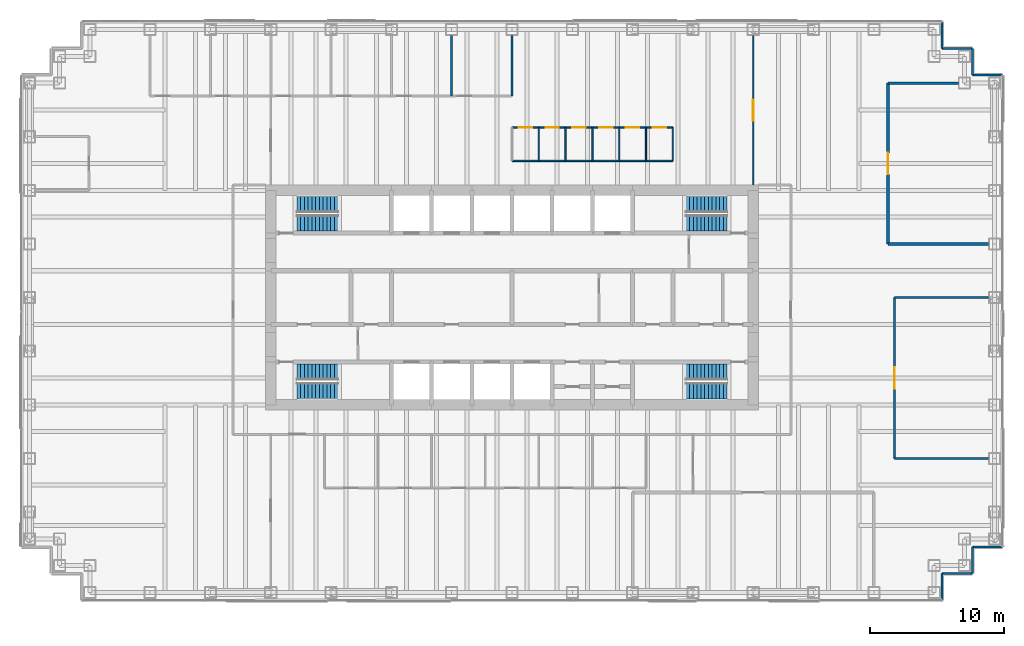
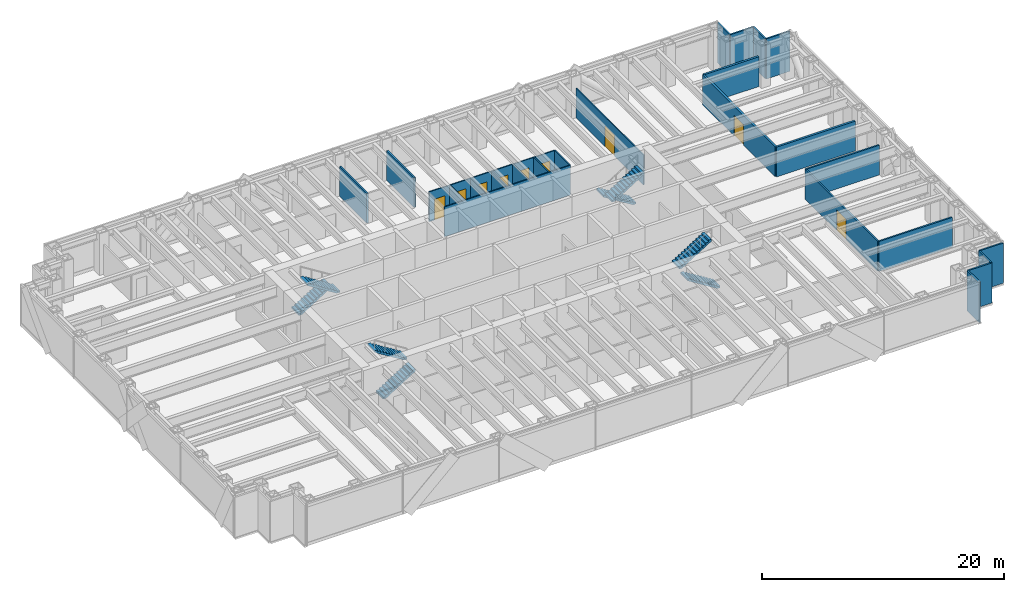
# One storey, part 13 of 14: 25 walls, 9 doors, 8 stair flights, 9 openings, 4 elements without a shape of their own.
"""IFC4 building model written with IfcOpenShell, lengths in metres."""

from ifc_helpers import new_model, si_unit, direction, frame, frame_2d, origin, place, context, subcontext, project, spatial, polyline, rectangle, outline, extrude, material, layer, layer_set, type_object, element, fill, aggregate, save


model = new_model("IFC4")

# Units and contexts
model_context = context("Model", 3, precision=1e-05, world=origin(), true_north=direction((0.0, 1.0)))
body_context = subcontext(model_context, "Body", "Model", "MODEL_VIEW")
ifc_project = project(units=[si_unit("LENGTHUNIT", "METRE"), si_unit("AREAUNIT", "SQUARE_METRE"), si_unit("VOLUMEUNIT", "CUBIC_METRE"), si_unit("PLANEANGLEUNIT", "RADIAN"), si_unit("MASSUNIT", "GRAM", prefix="KILO")], contexts=[model_context])

# Site, building, storey
site_placement = place(None, origin())
site = spatial("IfcSite", under=ifc_project, at=site_placement, CompositionType="ELEMENT")
building_placement = place(site_placement, origin())
building = spatial("IfcBuilding", under=site, at=building_placement, Name="Rheinbord Bourse Tower", CompositionType="ELEMENT")
storey_placement = place(building_placement, frame((0.0, 0.0, 253.0)))
storey = spatial("IfcBuildingStorey", under=building, at=storey_placement, Name="L57", CompositionType="ELEMENT", Elevation=253.0)

# Walls
ifc_material_1 = material(Name="Acoustic gypsum board partition", Category="gypsum board")
ifc_layer_1 = layer(ifc_material_1, 0.199951171875)
ifc_layer_set_1 = layer_set([ifc_layer_1], Name="ACOUSTIC PARTITION 200")
wall_type_1 = type_object("IfcWallType", Name="ACOUSTIC PARTITION 200", PredefinedType="PARTITIONING", material=ifc_layer_set_1)
wall_1_placement = place(storey_placement, frame((64.050048828125, 28.0, 0.0), z_axis=(0.0, 0.0, 1.0), x_axis=(1.0, 0.0, 0.0)))
element("IfcWall", 1, at=wall_1_placement, inside=storey, type_object=wall_type_1, Name="Partition L57-06", PredefinedType="PARTITIONING", context=body_context, shape_type="SweptSolid", body=[
    extrude(rectangle(XDim=7.5, YDim=0.199951171875, at=frame_2d((3.75, 0.0))), origin(), (0.0, 0.0, 1.0), 3.0),
])
wall_2_placement = place(storey_placement, frame((64.050048828125, 40.0, 0.0), z_axis=(0.0, 0.0, 1.0), x_axis=(1.0, 0.0, 0.0)))
element("IfcWall", 2, at=wall_2_placement, inside=storey, type_object=wall_type_1, Name="Partition L57-14", PredefinedType="PARTITIONING", context=body_context, shape_type="SweptSolid", body=[
    extrude(rectangle(XDim=5.25, YDim=0.199951171875, at=frame_2d((2.625, 0.0))), origin(), (0.0, 0.0, 1.0), 3.0),
])

# Wall, opening, door
wall_3_placement = place(storey_placement, frame((64.050048828125, 28.0, 0.0), z_axis=(0.0, 0.0, 1.0), x_axis=(0.0, 1.0, 0.0)))
wall_3 = element("IfcWall", 3, at=wall_3_placement, inside=storey, type_object=wall_type_1, Name="Partition L57-45", PredefinedType="PARTITIONING", context=body_context, shape_type="SweptSolid", body=[
    extrude(rectangle(XDim=12.0, YDim=0.199951171875, at=frame_2d((6.0, 0.0))), origin(), (0.0, 0.0, 1.0), 3.0),
])
opening_1_placement = place(wall_3_placement, frame((5.199951171875, 0.0, 0.0)))
opening_1 = element("IfcOpeningElement", 4, at=opening_1_placement, cuts=wall_3, Name="Opening 57D10", PredefinedType="OPENING", context=body_context, shape_type="SweptSolid", body=[
    extrude(rectangle(XDim=1.60009765625, YDim=2.10009765625, at=frame_2d((0.800048828125, 1.050048828125))), frame((0.0, 0.10986328125, 0.0), z_axis=(0.0, -1.0, 0.0), x_axis=(1.0, 0.0, 0.0)), (0.0, 0.0, 1.0), 0.219970703125),
])
ifc_material_2 = material(Name="Timber door", Category="wood")
door_type_1 = type_object("IfcDoorType", Name="DOUBLE ROOM DOOR 1600", OperationType="DOUBLE_DOOR_DOUBLE_SWING", PredefinedType="DOOR", material=ifc_material_2)
door_1_placement = place(opening_1_placement, origin())
door_1 = element("IfcDoor", 5, at=door_1_placement, inside=storey, type_object=door_type_1, Name="Conference room door L57", OperationType="SINGLE_SWING_LEFT", OverallHeight=2.10009765625, OverallWidth=1.60009765625, PredefinedType="DOOR", context=body_context, shape_type="SweptSolid", body=[
    extrude(rectangle(XDim=1.60009765625, YDim=2.10009765625, at=frame_2d((0.800048828125, 1.050048828125))), frame((0.0, 0.02490234375, 0.0), z_axis=(0.0, -1.0, 0.0), x_axis=(1.0, 0.0, 0.0)), (0.0, 0.0, 1.0), 0.050048828125),
])
fill(opening_1, door_1)

# Walls
ifc_material_3 = material(Name="Black metal rainscreen panel", Category="aluminium")
ifc_layer_2 = layer(ifc_material_3, 0.14990234375)
ifc_layer_set_2 = layer_set([ifc_layer_2], Name="CORNER PIER CLADDING 150")
wall_type_2 = type_object("IfcWallType", Name="CORNER PIER CLADDING 150", PredefinedType="ELEMENTEDWALL", material=ifc_layer_set_2)
wall_4_placement = place(storey_placement, frame((68.10009765625, 1.39990234375, 0.0), z_axis=(0.0, 0.0, 1.0), x_axis=(0.0, 1.0, 0.0)))
element("IfcWall", 6, at=wall_4_placement, inside=storey, type_object=wall_type_2, Name="Corner pier cladding L57 2", PredefinedType="ELEMENTEDWALL", context=body_context, shape_type="SweptSolid", body=[
    extrude(rectangle(XDim=2.0, YDim=0.14990234375, at=frame_2d((1.0, 0.0))), origin(), (0.0, 0.0, 1.0), 4.0400390625),
])
wall_5_placement = place(storey_placement, frame((68.10009765625, 3.39990234375, 0.0), z_axis=(0.0, 0.0, 1.0), x_axis=(1.0, 0.0, 0.0)))
element("IfcWall", 7, at=wall_5_placement, inside=storey, type_object=wall_type_2, Name="Corner pier cladding L57 3", PredefinedType="ELEMENTEDWALL", context=body_context, shape_type="SweptSolid", body=[
    extrude(rectangle(XDim=2.25, YDim=0.14990234375, at=frame_2d((1.125, 0.0))), origin(), (0.0, 0.0, 1.0), 4.0400390625),
])
wall_6_placement = place(storey_placement, frame((70.35009765625, 3.39990234375, 0.0), z_axis=(0.0, 0.0, 1.0), x_axis=(0.0, 1.0, 0.0)))
element("IfcWall", 8, at=wall_6_placement, inside=storey, type_object=wall_type_2, Name="Corner pier cladding L57 4", PredefinedType="ELEMENTEDWALL", context=body_context, shape_type="SweptSolid", body=[
    extrude(rectangle(XDim=2.0, YDim=0.14990234375, at=frame_2d((1.0, 0.0))), origin(), (0.0, 0.0, 1.0), 4.0400390625),
])
for number, where, z_axis, x_axis, name in (
    (9, (70.35009765625, 5.39990234375, 0.0), (0.0, 0.0, 1.0), (1.0, 0.0, 0.0), "Corner pier cladding L57 5"),
    (10, (72.60009765625, 40.60009765625, 0.0), (0.0, 0.0, 1.0), (-1.0, 0.0, 0.0), "Corner pier cladding L57 7"),
):
    element("IfcWall", number, at=place(storey_placement, frame(where, z_axis=z_axis, x_axis=x_axis)), inside=storey, type_object=wall_type_2, Name=name, PredefinedType="ELEMENTEDWALL", context=body_context, shape_type="SweptSolid", body=[
        extrude(rectangle(XDim=2.25, YDim=0.14990234375, at=frame_2d((1.125, 0.0))), origin(), (0.0, 0.0, 1.0), 4.0400390625),
    ])
wall_7_placement = place(storey_placement, frame((70.35009765625, 40.60009765625, 0.0), z_axis=(0.0, 0.0, 1.0), x_axis=(0.0, 1.0, 0.0)))
element("IfcWall", 11, at=wall_7_placement, inside=storey, type_object=wall_type_2, Name="Corner pier cladding L57 8", PredefinedType="ELEMENTEDWALL", context=body_context, shape_type="SweptSolid", body=[
    extrude(rectangle(XDim=2.0, YDim=0.14990234375, at=frame_2d((1.0, 0.0))), origin(), (0.0, 0.0, 1.0), 4.0400390625),
])
wall_8_placement = place(storey_placement, frame((70.35009765625, 42.60009765625, 0.0), z_axis=(0.0, 0.0, 1.0), x_axis=(-1.0, 0.0, 0.0)))
element("IfcWall", 12, at=wall_8_placement, inside=storey, type_object=wall_type_2, Name="Corner pier cladding L57 9", PredefinedType="ELEMENTEDWALL", context=body_context, shape_type="SweptSolid", body=[
    extrude(rectangle(XDim=2.25, YDim=0.14990234375, at=frame_2d((1.125, 0.0))), origin(), (0.0, 0.0, 1.0), 4.0400390625),
])
wall_9_placement = place(storey_placement, frame((68.10009765625, 42.60009765625, 0.0), z_axis=(0.0, 0.0, 1.0), x_axis=(0.0, 1.0, 0.0)))
element("IfcWall", 13, at=wall_9_placement, inside=storey, type_object=wall_type_2, Name="Corner pier cladding L57 10", PredefinedType="ELEMENTEDWALL", context=body_context, shape_type="SweptSolid", body=[
    extrude(rectangle(XDim=2.0, YDim=0.14990234375, at=frame_2d((1.0, 0.0))), origin(), (0.0, 0.0, 1.0), 4.0400390625),
])
ifc_material_4 = material(Name="Toughened laminated glass partition", Category="glass")
ifc_layer_3 = layer(ifc_material_4, 0.10009765625)
ifc_layer_set_3 = layer_set([ifc_layer_3], Name="GLAZED PARTITION 100")
wall_type_3 = type_object("IfcWallType", Name="GLAZED PARTITION 100", PredefinedType="PARTITIONING", material=ifc_layer_set_3)
wall_10_placement = place(storey_placement, frame((36.0, 34.199951171875, 0.0), z_axis=(0.0, 0.0, 1.0), x_axis=(1.0, 0.0, 0.0)))
element("IfcWall", 14, at=wall_10_placement, inside=storey, type_object=wall_type_3, Name="Partition L57-10", PredefinedType="PARTITIONING", context=body_context, shape_type="SweptSolid", body=[
    extrude(rectangle(XDim=12.0, YDim=0.10009765625, at=frame_2d((6.0, 0.0))), origin(), (0.0, 0.0, 1.0), 3.0),
])

# Wall, openings, doors
wall_11_placement = place(storey_placement, frame((36.0, 36.699951171875, 0.0), z_axis=(0.0, 0.0, 1.0), x_axis=(1.0, 0.0, 0.0)))
wall_11 = element("IfcWall", 15, at=wall_11_placement, inside=storey, type_object=wall_type_3, Name="Partition L57-12", PredefinedType="PARTITIONING", context=body_context, shape_type="SweptSolid", body=[
    extrude(rectangle(XDim=12.0, YDim=0.10009765625, at=frame_2d((6.0, 0.0))), origin(), (0.0, 0.0, 1.0), 3.0),
])
opening_2_placement = place(wall_11_placement, frame((0.5, 0.0, 0.0)))
opening_2 = element("IfcOpeningElement", 16, at=opening_2_placement, cuts=wall_11, Name="Opening 57D11", PredefinedType="OPENING", context=body_context, shape_type="SweptSolid", body=[
    extrude(rectangle(XDim=1.0, YDim=2.10009765625, at=frame_2d((0.5, 1.050048828125))), frame((0.0, 0.06005859375, 0.0), z_axis=(0.0, -1.0, 0.0), x_axis=(1.0, 0.0, 0.0)), (0.0, 0.0, 1.0), 0.1201171875),
])
opening_3_placement = place(wall_11_placement, frame((2.5, 0.0, 0.0)))
opening_3 = element("IfcOpeningElement", 17, at=opening_3_placement, cuts=wall_11, Name="Opening 57D12", PredefinedType="OPENING", context=body_context, shape_type="SweptSolid", body=[
    extrude(rectangle(XDim=1.0, YDim=2.10009765625, at=frame_2d((0.5, 1.050048828125))), frame((0.0, 0.06005859375, 0.0), z_axis=(0.0, -1.0, 0.0), x_axis=(1.0, 0.0, 0.0)), (0.0, 0.0, 1.0), 0.1201171875),
])
opening_4_placement = place(wall_11_placement, frame((4.5, 0.0, 0.0)))
opening_4 = element("IfcOpeningElement", 18, at=opening_4_placement, cuts=wall_11, Name="Opening 57D13", PredefinedType="OPENING", context=body_context, shape_type="SweptSolid", body=[
    extrude(rectangle(XDim=1.0, YDim=2.10009765625, at=frame_2d((0.5, 1.050048828125))), frame((0.0, 0.06005859375, 0.0), z_axis=(0.0, -1.0, 0.0), x_axis=(1.0, 0.0, 0.0)), (0.0, 0.0, 1.0), 0.1201171875),
])
opening_5_placement = place(wall_11_placement, frame((6.5, 0.0, 0.0)))
opening_5 = element("IfcOpeningElement", 19, at=opening_5_placement, cuts=wall_11, Name="Opening 57D14", PredefinedType="OPENING", context=body_context, shape_type="SweptSolid", body=[
    extrude(rectangle(XDim=1.0, YDim=2.10009765625, at=frame_2d((0.5, 1.050048828125))), frame((0.0, 0.06005859375, 0.0), z_axis=(0.0, -1.0, 0.0), x_axis=(1.0, 0.0, 0.0)), (0.0, 0.0, 1.0), 0.1201171875),
])
opening_6_placement = place(wall_11_placement, frame((8.5, 0.0, 0.0)))
opening_6 = element("IfcOpeningElement", 20, at=opening_6_placement, cuts=wall_11, Name="Opening 57D15", PredefinedType="OPENING", context=body_context, shape_type="SweptSolid", body=[
    extrude(rectangle(XDim=1.0, YDim=2.10009765625, at=frame_2d((0.5, 1.050048828125))), frame((0.0, 0.06005859375, 0.0), z_axis=(0.0, -1.0, 0.0), x_axis=(1.0, 0.0, 0.0)), (0.0, 0.0, 1.0), 0.1201171875),
])
opening_7_placement = place(wall_11_placement, frame((10.5, 0.0, 0.0)))
opening_7 = element("IfcOpeningElement", 21, at=opening_7_placement, cuts=wall_11, Name="Opening 57D16", PredefinedType="OPENING", context=body_context, shape_type="SweptSolid", body=[
    extrude(rectangle(XDim=1.0, YDim=2.10009765625, at=frame_2d((0.5, 1.050048828125))), frame((0.0, 0.06005859375, 0.0), z_axis=(0.0, -1.0, 0.0), x_axis=(1.0, 0.0, 0.0)), (0.0, 0.0, 1.0), 0.1201171875),
])
ifc_material_5 = material(Name="Timber door", Category="wood")
door_type_2 = type_object("IfcDoorType", Name="ROOM DOOR 1000", OperationType="SINGLE_SWING_LEFT", PredefinedType="DOOR", material=ifc_material_5)
door_2_placement = place(opening_2_placement, origin())
door_2 = element("IfcDoor", 22, at=door_2_placement, inside=storey, type_object=door_type_2, Name="Phone room door L57", OperationType="SINGLE_SWING_LEFT", OverallHeight=2.10009765625, OverallWidth=1.0, PredefinedType="DOOR", context=body_context, shape_type="SweptSolid", body=[
    extrude(rectangle(XDim=1.0, YDim=2.10009765625, at=frame_2d((0.5, 1.050048828125))), frame((0.0, 0.02490234375, 0.0), z_axis=(0.0, -1.0, 0.0), x_axis=(1.0, 0.0, 0.0)), (0.0, 0.0, 1.0), 0.050048828125),
])
fill(opening_2, door_2)
door_3_placement = place(opening_3_placement, origin())
door_3 = element("IfcDoor", 23, at=door_3_placement, inside=storey, type_object=door_type_2, Name="Phone room door L57", OperationType="SINGLE_SWING_LEFT", OverallHeight=2.10009765625, OverallWidth=1.0, PredefinedType="DOOR", context=body_context, shape_type="SweptSolid", body=[
    extrude(rectangle(XDim=1.0, YDim=2.10009765625, at=frame_2d((0.5, 1.050048828125))), frame((0.0, 0.02490234375, 0.0), z_axis=(0.0, -1.0, 0.0), x_axis=(1.0, 0.0, 0.0)), (0.0, 0.0, 1.0), 0.050048828125),
])
fill(opening_3, door_3)
door_4_placement = place(opening_4_placement, origin())
door_4 = element("IfcDoor", 24, at=door_4_placement, inside=storey, type_object=door_type_2, Name="Phone room door L57", OperationType="SINGLE_SWING_LEFT", OverallHeight=2.10009765625, OverallWidth=1.0, PredefinedType="DOOR", context=body_context, shape_type="SweptSolid", body=[
    extrude(rectangle(XDim=1.0, YDim=2.10009765625, at=frame_2d((0.5, 1.050048828125))), frame((0.0, 0.02490234375, 0.0), z_axis=(0.0, -1.0, 0.0), x_axis=(1.0, 0.0, 0.0)), (0.0, 0.0, 1.0), 0.050048828125),
])
fill(opening_4, door_4)
door_5_placement = place(opening_5_placement, origin())
door_5 = element("IfcDoor", 25, at=door_5_placement, inside=storey, type_object=door_type_2, Name="Phone room door L57", OperationType="SINGLE_SWING_RIGHT", OverallHeight=2.10009765625, OverallWidth=1.0, PredefinedType="DOOR", context=body_context, shape_type="SweptSolid", body=[
    extrude(rectangle(XDim=1.0, YDim=2.10009765625, at=frame_2d((0.5, 1.050048828125))), frame((0.0, 0.02490234375, 0.0), z_axis=(0.0, -1.0, 0.0), x_axis=(1.0, 0.0, 0.0)), (0.0, 0.0, 1.0), 0.050048828125),
])
fill(opening_5, door_5)
door_6_placement = place(opening_6_placement, origin())
door_6 = element("IfcDoor", 26, at=door_6_placement, inside=storey, type_object=door_type_2, Name="Phone room door L57", OperationType="SINGLE_SWING_RIGHT", OverallHeight=2.10009765625, OverallWidth=1.0, PredefinedType="DOOR", context=body_context, shape_type="SweptSolid", body=[
    extrude(rectangle(XDim=1.0, YDim=2.10009765625, at=frame_2d((0.5, 1.050048828125))), frame((0.0, 0.02490234375, 0.0), z_axis=(0.0, -1.0, 0.0), x_axis=(1.0, 0.0, 0.0)), (0.0, 0.0, 1.0), 0.050048828125),
])
fill(opening_6, door_6)
door_7_placement = place(opening_7_placement, origin())
door_7 = element("IfcDoor", 27, at=door_7_placement, inside=storey, type_object=door_type_2, Name="Phone room door L57", OperationType="SINGLE_SWING_RIGHT", OverallHeight=2.10009765625, OverallWidth=1.0, PredefinedType="DOOR", context=body_context, shape_type="SweptSolid", body=[
    extrude(rectangle(XDim=1.0, YDim=2.10009765625, at=frame_2d((0.5, 1.050048828125))), frame((0.0, 0.02490234375, 0.0), z_axis=(0.0, -1.0, 0.0), x_axis=(1.0, 0.0, 0.0)), (0.0, 0.0, 1.0), 0.050048828125),
])
fill(opening_7, door_7)

# Walls
for number, where, z_axis, x_axis, name in (
    (28, (38.0, 34.199951171875, 0.0), (0.0, 0.0, 1.0), (0.0, 1.0, 0.0), "Partition L57-32"),
    (29, (40.0, 34.199951171875, 0.0), (0.0, 0.0, 1.0), (0.0, 1.0, 0.0), "Partition L57-33"),
    (30, (42.0, 34.199951171875, 0.0), (0.0, 0.0, 1.0), (0.0, 1.0, 0.0), "Partition L57-35"),
    (31, (44.0, 34.199951171875, 0.0), (0.0, 0.0, 1.0), (0.0, 1.0, 0.0), "Partition L57-36"),
    (32, (46.0, 34.199951171875, 0.0), (0.0, 0.0, 1.0), (0.0, 1.0, 0.0), "Partition L57-39"),
    (33, (48.0, 34.199951171875, 0.0), (0.0, 0.0, 1.0), (0.0, 1.0, 0.0), "Partition L57-40"),
):
    element("IfcWall", number, at=place(storey_placement, frame(where, z_axis=z_axis, x_axis=x_axis)), inside=storey, type_object=wall_type_3, Name=name, PredefinedType="PARTITIONING", context=body_context, shape_type="SweptSolid", body=[
        extrude(rectangle(XDim=2.5, YDim=0.10009765625, at=frame_2d((1.25, 0.0))), origin(), (0.0, 0.0, 1.0), 3.0),
    ])

# Wall, opening, door
wall_12_placement = place(storey_placement, frame((54.0, 32.39990234375, 0.0), z_axis=(0.0, 0.0, 1.0), x_axis=(0.0, 1.0, 0.0)))
wall_12 = element("IfcWall", 34, at=wall_12_placement, inside=storey, type_object=wall_type_3, Name="Partition L57-42", PredefinedType="PARTITIONING", context=body_context, shape_type="SweptSolid", body=[
    extrude(rectangle(XDim=11.150146484375, YDim=0.10009765625, at=frame_2d((5.5751953125, 0.0))), origin(), (0.0, 0.0, 1.0), 3.0),
])
opening_8_placement = place(wall_12_placement, frame((4.77490234375, 0.0, 0.0)))
opening_8 = element("IfcOpeningElement", 35, at=opening_8_placement, cuts=wall_12, Name="Opening 57D26", PredefinedType="OPENING", context=body_context, shape_type="SweptSolid", body=[
    extrude(rectangle(XDim=1.60009765625, YDim=2.10009765625, at=frame_2d((0.800048828125, 1.050048828125))), frame((0.0, 0.06005859375, 0.0), z_axis=(0.0, -1.0, 0.0), x_axis=(1.0, 0.0, 0.0)), (0.0, 0.0, 1.0), 0.1201171875),
])
door_8_placement = place(opening_8_placement, origin())
door_8 = element("IfcDoor", 36, at=door_8_placement, inside=storey, type_object=door_type_1, Name="Open area door L57", OperationType="SINGLE_SWING_LEFT", OverallHeight=2.10009765625, OverallWidth=1.60009765625, PredefinedType="DOOR", context=body_context, shape_type="SweptSolid", body=[
    extrude(rectangle(XDim=1.60009765625, YDim=2.10009765625, at=frame_2d((0.800048828125, 1.050048828125))), frame((0.0, 0.02490234375, 0.0), z_axis=(0.0, -1.0, 0.0), x_axis=(1.0, 0.0, 0.0)), (0.0, 0.0, 1.0), 0.050048828125),
])
fill(opening_8, door_8)

# Walls
ifc_material_6 = material(Name="Gypsum board partition", Category="gypsum board")
ifc_layer_4 = layer(ifc_material_6, 0.14990234375)
ifc_layer_set_4 = layer_set([ifc_layer_4], Name="PARTITION 150")
wall_type_4 = type_object("IfcWallType", Name="PARTITION 150", PredefinedType="PARTITIONING", material=ifc_layer_set_4)
for number, where, z_axis, x_axis, name in (
    (37, (64.550048828125, 12.0, 0.0), (0.0, 0.0, 1.0), (1.0, 0.0, 0.0), "Partition L57-03"),
    (38, (64.550048828125, 24.0, 0.0), (0.0, 0.0, 1.0), (1.0, 0.0, 0.0), "Partition L57-05"),
):
    element("IfcWall", number, at=place(storey_placement, frame(where, z_axis=z_axis, x_axis=x_axis)), inside=storey, type_object=wall_type_4, Name=name, PredefinedType="PARTITIONING", context=body_context, shape_type="SweptSolid", body=[
        extrude(rectangle(XDim=7.0, YDim=0.14990234375, at=frame_2d((3.5, 0.0))), origin(), (0.0, 0.0, 1.0), 3.0),
    ])
for number, where, z_axis, x_axis, name in (
    (39, (31.5, 39.050048828125, 0.0), (0.0, 0.0, 1.0), (0.0, 1.0, 0.0), "Partition L57-27"),
    (40, (36.0, 39.050048828125, 0.0), (0.0, 0.0, 1.0), (0.0, 1.0, 0.0), "Partition L57-30"),
):
    element("IfcWall", number, at=place(storey_placement, frame(where, z_axis=z_axis, x_axis=x_axis)), inside=storey, type_object=wall_type_4, Name=name, PredefinedType="PARTITIONING", context=body_context, shape_type="SweptSolid", body=[
        extrude(rectangle(XDim=4.5, YDim=0.14990234375, at=frame_2d((2.25, 0.0))), origin(), (0.0, 0.0, 1.0), 3.0),
    ])

# Wall, opening, door
wall_13_placement = place(storey_placement, frame((64.550048828125, 12.0, 0.0), z_axis=(0.0, 0.0, 1.0), x_axis=(0.0, 1.0, 0.0)))
wall_13 = element("IfcWall", 41, at=wall_13_placement, inside=storey, type_object=wall_type_4, Name="Partition L57-46", PredefinedType="PARTITIONING", context=body_context, shape_type="SweptSolid", body=[
    extrude(rectangle(XDim=12.0, YDim=0.14990234375, at=frame_2d((6.0, 0.0))), origin(), (0.0, 0.0, 1.0), 3.0),
])
opening_9_placement = place(wall_13_placement, frame((5.199951171875, 0.0, 0.0)))
opening_9 = element("IfcOpeningElement", 42, at=opening_9_placement, cuts=wall_13, Name="Opening 57D08", PredefinedType="OPENING", context=body_context, shape_type="SweptSolid", body=[
    extrude(rectangle(XDim=1.60009765625, YDim=2.10009765625, at=frame_2d((0.800048828125, 1.050048828125))), frame((0.0, 0.0849609375, 0.0), z_axis=(0.0, -1.0, 0.0), x_axis=(1.0, 0.0, 0.0)), (0.0, 0.0, 1.0), 0.169921875),
])
door_9_placement = place(opening_9_placement, origin())
door_9 = element("IfcDoor", 43, at=door_9_placement, inside=storey, type_object=door_type_1, Name="Kitchen door L57", OperationType="SINGLE_SWING_LEFT", OverallHeight=2.10009765625, OverallWidth=1.60009765625, PredefinedType="DOOR", context=body_context, shape_type="SweptSolid", body=[
    extrude(rectangle(XDim=1.60009765625, YDim=2.10009765625, at=frame_2d((0.800048828125, 1.050048828125))), frame((0.0, 0.02490234375, 0.0), z_axis=(0.0, -1.0, 0.0), x_axis=(1.0, 0.0, 0.0)), (0.0, 0.0, 1.0), 0.050048828125),
])
fill(opening_9, door_9)

# Stair, stair flights
ifc_material_7 = material(Name="Concrete C30/37", Category="concrete")
stair_type = type_object("IfcStairType", Name="CORE STAIR HALF TURN 4200", PredefinedType="HALF_TURN_STAIR", material=ifc_material_7)
stair_1_placement = place(storey_placement, origin())
stair_1 = element("IfcStair", 44, at=stair_1_placement, inside=storey, type_object=stair_type, Name="Stair ST1 L57, type CS6", PredefinedType="HALF_TURN_STAIR")
ifc_material_8 = material(Name="Concrete C30/37", Category="concrete")
stair_flight_type = type_object("IfcStairFlightType", Name="CORE STAIR FLIGHT 1200, 12 RISERS", PredefinedType="STRAIGHT", material=ifc_material_8)
stair_flight_1_placement = place(storey_placement, frame((19.949951171875, 17.050048828125, 0.0), z_axis=(0.0, 0.0, 1.0), x_axis=(1.0, 0.0, 0.0)))
stair_flight_1 = element("IfcStairFlight", 45, at=stair_flight_1_placement, type_object=stair_flight_type, Name="STAIR L57 ST1 F1", NumberOfRisers=12, NumberOfTreads=11, PredefinedType="STRAIGHT", RiserHeight=0.175, TreadLength=0.28, context=body_context, shape_type="SweptSolid", body=[
    extrude(outline(polyline([(0.0, 0.0), (0.0, 0.175048828125), (0.280029296875, 0.175048828125), (0.280029296875, 0.35009765625), (0.56005859375, 0.35009765625), (0.56005859375, 0.52490234375), (0.840087890625, 0.52490234375), (0.840087890625, 0.699951171875), (1.1201171875, 0.699951171875), (1.1201171875, 0.875), (1.39990234375, 0.875), (1.39990234375, 1.050048828125), (1.679931640625, 1.050048828125), (1.679931640625, 1.22509765625), (1.9599609375, 1.22509765625), (1.9599609375, 1.39990234375), (2.239990234375, 1.39990234375), (2.239990234375, 1.574951171875), (2.52001953125, 1.574951171875), (2.52001953125, 1.75), (2.800048828125, 1.75), (2.800048828125, 1.925048828125), (3.080078125, 1.925048828125), (3.080078125, 2.10009765625), (3.080078125, 1.748291015625), (0.28271484375, 0.0), (0.0, 0.0)])), frame((0.0, 0.60009765625, 0.0), z_axis=(0.0, -1.0, 0.0), x_axis=(1.0, 0.0, 0.0)), (0.0, 0.0, 1.0), 1.199951171875),
])
stair_flight_2_placement = place(storey_placement, frame((23.030029296875, 18.449951171875, 2.10009765625), z_axis=(0.0, 0.0, 1.0), x_axis=(-1.0, 0.0, 0.0)))
stair_flight_2 = element("IfcStairFlight", 46, at=stair_flight_2_placement, type_object=stair_flight_type, Name="STAIR L57 ST1 F2", NumberOfRisers=12, NumberOfTreads=11, PredefinedType="STRAIGHT", RiserHeight=0.175, TreadLength=0.28, context=body_context, shape_type="SweptSolid", body=[
    extrude(outline(polyline([(0.0, 0.0), (0.0, 0.175048828125), (0.280029296875, 0.175048828125), (0.280029296875, 0.35009765625), (0.56005859375, 0.35009765625), (0.56005859375, 0.52490234375), (0.840087890625, 0.52490234375), (0.840087890625, 0.699951171875), (1.1201171875, 0.699951171875), (1.1201171875, 0.875), (1.39990234375, 0.875), (1.39990234375, 1.050048828125), (1.679931640625, 1.050048828125), (1.679931640625, 1.22509765625), (1.9599609375, 1.22509765625), (1.9599609375, 1.39990234375), (2.239990234375, 1.39990234375), (2.239990234375, 1.574951171875), (2.52001953125, 1.574951171875), (2.52001953125, 1.75), (2.800048828125, 1.75), (2.800048828125, 1.925048828125), (3.080078125, 1.925048828125), (3.080078125, 2.10009765625), (3.080078125, 1.748291015625), (0.28271484375, 0.0), (0.0, 0.0)])), frame((0.0, 0.60009765625, 0.0), z_axis=(0.0, -1.0, 0.0), x_axis=(1.0, 0.0, 0.0)), (0.0, 0.0, 1.0), 1.199951171875),
])
aggregate(stair_1, [stair_flight_1, stair_flight_2])

stair_2_placement = place(storey_placement, origin())
stair_2 = element("IfcStair", 47, at=stair_2_placement, inside=storey, type_object=stair_type, Name="Stair ST2 L57, type CS6", PredefinedType="HALF_TURN_STAIR")
stair_flight_3_placement = place(storey_placement, frame((19.949951171875, 30.949951171875, 0.0), z_axis=(0.0, 0.0, 1.0), x_axis=(1.0, 0.0, 0.0)))
stair_flight_3 = element("IfcStairFlight", 48, at=stair_flight_3_placement, type_object=stair_flight_type, Name="STAIR L57 ST2 F1", NumberOfRisers=12, NumberOfTreads=11, PredefinedType="STRAIGHT", RiserHeight=0.175, TreadLength=0.28, context=body_context, shape_type="SweptSolid", body=[
    extrude(outline(polyline([(0.0, 0.0), (0.0, 0.175048828125), (0.280029296875, 0.175048828125), (0.280029296875, 0.35009765625), (0.56005859375, 0.35009765625), (0.56005859375, 0.52490234375), (0.840087890625, 0.52490234375), (0.840087890625, 0.699951171875), (1.1201171875, 0.699951171875), (1.1201171875, 0.875), (1.39990234375, 0.875), (1.39990234375, 1.050048828125), (1.679931640625, 1.050048828125), (1.679931640625, 1.22509765625), (1.9599609375, 1.22509765625), (1.9599609375, 1.39990234375), (2.239990234375, 1.39990234375), (2.239990234375, 1.574951171875), (2.52001953125, 1.574951171875), (2.52001953125, 1.75), (2.800048828125, 1.75), (2.800048828125, 1.925048828125), (3.080078125, 1.925048828125), (3.080078125, 2.10009765625), (3.080078125, 1.748291015625), (0.28271484375, 0.0), (0.0, 0.0)])), frame((0.0, 0.60009765625, 0.0), z_axis=(0.0, -1.0, 0.0), x_axis=(1.0, 0.0, 0.0)), (0.0, 0.0, 1.0), 1.199951171875),
])
stair_flight_4_placement = place(storey_placement, frame((23.030029296875, 29.550048828125, 2.10009765625), z_axis=(0.0, 0.0, 1.0), x_axis=(-1.0, 0.0, 0.0)))
stair_flight_4 = element("IfcStairFlight", 49, at=stair_flight_4_placement, type_object=stair_flight_type, Name="STAIR L57 ST2 F2", NumberOfRisers=12, NumberOfTreads=11, PredefinedType="STRAIGHT", RiserHeight=0.175, TreadLength=0.28, context=body_context, shape_type="SweptSolid", body=[
    extrude(outline(polyline([(0.0, 0.0), (0.0, 0.175048828125), (0.280029296875, 0.175048828125), (0.280029296875, 0.35009765625), (0.56005859375, 0.35009765625), (0.56005859375, 0.52490234375), (0.840087890625, 0.52490234375), (0.840087890625, 0.699951171875), (1.1201171875, 0.699951171875), (1.1201171875, 0.875), (1.39990234375, 0.875), (1.39990234375, 1.050048828125), (1.679931640625, 1.050048828125), (1.679931640625, 1.22509765625), (1.9599609375, 1.22509765625), (1.9599609375, 1.39990234375), (2.239990234375, 1.39990234375), (2.239990234375, 1.574951171875), (2.52001953125, 1.574951171875), (2.52001953125, 1.75), (2.800048828125, 1.75), (2.800048828125, 1.925048828125), (3.080078125, 1.925048828125), (3.080078125, 2.10009765625), (3.080078125, 1.748291015625), (0.28271484375, 0.0), (0.0, 0.0)])), frame((0.0, 0.60009765625, 0.0), z_axis=(0.0, -1.0, 0.0), x_axis=(1.0, 0.0, 0.0)), (0.0, 0.0, 1.0), 1.199951171875),
])
aggregate(stair_2, [stair_flight_3, stair_flight_4])

stair_3_placement = place(storey_placement, origin())
stair_3 = element("IfcStair", 50, at=stair_3_placement, inside=storey, type_object=stair_type, Name="Stair ST3 L57, type CS6", PredefinedType="HALF_TURN_STAIR")
stair_flight_5_placement = place(storey_placement, frame((52.050048828125, 17.050048828125, 0.0), z_axis=(0.0, 0.0, 1.0), x_axis=(-1.0, 0.0, 0.0)))
stair_flight_5 = element("IfcStairFlight", 51, at=stair_flight_5_placement, type_object=stair_flight_type, Name="STAIR L57 ST3 F1", NumberOfRisers=12, NumberOfTreads=11, PredefinedType="STRAIGHT", RiserHeight=0.175, TreadLength=0.28, context=body_context, shape_type="SweptSolid", body=[
    extrude(outline(polyline([(0.0, 0.0), (0.0, 0.175048828125), (0.280029296875, 0.175048828125), (0.280029296875, 0.35009765625), (0.56005859375, 0.35009765625), (0.56005859375, 0.52490234375), (0.840087890625, 0.52490234375), (0.840087890625, 0.699951171875), (1.1201171875, 0.699951171875), (1.1201171875, 0.875), (1.39990234375, 0.875), (1.39990234375, 1.050048828125), (1.679931640625, 1.050048828125), (1.679931640625, 1.22509765625), (1.9599609375, 1.22509765625), (1.9599609375, 1.39990234375), (2.239990234375, 1.39990234375), (2.239990234375, 1.574951171875), (2.52001953125, 1.574951171875), (2.52001953125, 1.75), (2.800048828125, 1.75), (2.800048828125, 1.925048828125), (3.080078125, 1.925048828125), (3.080078125, 2.10009765625), (3.080078125, 1.748291015625), (0.28271484375, 0.0), (0.0, 0.0)])), frame((0.0, 0.60009765625, 0.0), z_axis=(0.0, -1.0, 0.0), x_axis=(1.0, 0.0, 0.0)), (0.0, 0.0, 1.0), 1.199951171875),
])
stair_flight_6_placement = place(storey_placement, frame((48.969970703125, 18.449951171875, 2.10009765625), z_axis=(0.0, 0.0, 1.0), x_axis=(1.0, 0.0, 0.0)))
stair_flight_6 = element("IfcStairFlight", 52, at=stair_flight_6_placement, type_object=stair_flight_type, Name="STAIR L57 ST3 F2", NumberOfRisers=12, NumberOfTreads=11, PredefinedType="STRAIGHT", RiserHeight=0.175, TreadLength=0.28, context=body_context, shape_type="SweptSolid", body=[
    extrude(outline(polyline([(0.0, 0.0), (0.0, 0.175048828125), (0.280029296875, 0.175048828125), (0.280029296875, 0.35009765625), (0.56005859375, 0.35009765625), (0.56005859375, 0.52490234375), (0.840087890625, 0.52490234375), (0.840087890625, 0.699951171875), (1.1201171875, 0.699951171875), (1.1201171875, 0.875), (1.39990234375, 0.875), (1.39990234375, 1.050048828125), (1.679931640625, 1.050048828125), (1.679931640625, 1.22509765625), (1.9599609375, 1.22509765625), (1.9599609375, 1.39990234375), (2.239990234375, 1.39990234375), (2.239990234375, 1.574951171875), (2.52001953125, 1.574951171875), (2.52001953125, 1.75), (2.800048828125, 1.75), (2.800048828125, 1.925048828125), (3.080078125, 1.925048828125), (3.080078125, 2.10009765625), (3.080078125, 1.748291015625), (0.28271484375, 0.0), (0.0, 0.0)])), frame((0.0, 0.60009765625, 0.0), z_axis=(0.0, -1.0, 0.0), x_axis=(1.0, 0.0, 0.0)), (0.0, 0.0, 1.0), 1.199951171875),
])
aggregate(stair_3, [stair_flight_5, stair_flight_6])

stair_4_placement = place(storey_placement, origin())
stair_4 = element("IfcStair", 53, at=stair_4_placement, inside=storey, type_object=stair_type, Name="Stair ST4 L57, type CS6", PredefinedType="HALF_TURN_STAIR")
stair_flight_7_placement = place(storey_placement, frame((52.050048828125, 30.949951171875, 0.0), z_axis=(0.0, 0.0, 1.0), x_axis=(-1.0, 0.0, 0.0)))
stair_flight_7 = element("IfcStairFlight", 54, at=stair_flight_7_placement, type_object=stair_flight_type, Name="STAIR L57 ST4 F1", NumberOfRisers=12, NumberOfTreads=11, PredefinedType="STRAIGHT", RiserHeight=0.175, TreadLength=0.28, context=body_context, shape_type="SweptSolid", body=[
    extrude(outline(polyline([(0.0, 0.0), (0.0, 0.175048828125), (0.280029296875, 0.175048828125), (0.280029296875, 0.35009765625), (0.56005859375, 0.35009765625), (0.56005859375, 0.52490234375), (0.840087890625, 0.52490234375), (0.840087890625, 0.699951171875), (1.1201171875, 0.699951171875), (1.1201171875, 0.875), (1.39990234375, 0.875), (1.39990234375, 1.050048828125), (1.679931640625, 1.050048828125), (1.679931640625, 1.22509765625), (1.9599609375, 1.22509765625), (1.9599609375, 1.39990234375), (2.239990234375, 1.39990234375), (2.239990234375, 1.574951171875), (2.52001953125, 1.574951171875), (2.52001953125, 1.75), (2.800048828125, 1.75), (2.800048828125, 1.925048828125), (3.080078125, 1.925048828125), (3.080078125, 2.10009765625), (3.080078125, 1.748291015625), (0.28271484375, 0.0), (0.0, 0.0)])), frame((0.0, 0.60009765625, 0.0), z_axis=(0.0, -1.0, 0.0), x_axis=(1.0, 0.0, 0.0)), (0.0, 0.0, 1.0), 1.199951171875),
])
stair_flight_8_placement = place(storey_placement, frame((48.969970703125, 29.550048828125, 2.10009765625), z_axis=(0.0, 0.0, 1.0), x_axis=(1.0, 0.0, 0.0)))
stair_flight_8 = element("IfcStairFlight", 55, at=stair_flight_8_placement, type_object=stair_flight_type, Name="STAIR L57 ST4 F2", NumberOfRisers=12, NumberOfTreads=11, PredefinedType="STRAIGHT", RiserHeight=0.175, TreadLength=0.28, context=body_context, shape_type="SweptSolid", body=[
    extrude(outline(polyline([(0.0, 0.0), (0.0, 0.175048828125), (0.280029296875, 0.175048828125), (0.280029296875, 0.35009765625), (0.56005859375, 0.35009765625), (0.56005859375, 0.52490234375), (0.840087890625, 0.52490234375), (0.840087890625, 0.699951171875), (1.1201171875, 0.699951171875), (1.1201171875, 0.875), (1.39990234375, 0.875), (1.39990234375, 1.050048828125), (1.679931640625, 1.050048828125), (1.679931640625, 1.22509765625), (1.9599609375, 1.22509765625), (1.9599609375, 1.39990234375), (2.239990234375, 1.39990234375), (2.239990234375, 1.574951171875), (2.52001953125, 1.574951171875), (2.52001953125, 1.75), (2.800048828125, 1.75), (2.800048828125, 1.925048828125), (3.080078125, 1.925048828125), (3.080078125, 2.10009765625), (3.080078125, 1.748291015625), (0.28271484375, 0.0), (0.0, 0.0)])), frame((0.0, 0.60009765625, 0.0), z_axis=(0.0, -1.0, 0.0), x_axis=(1.0, 0.0, 0.0)), (0.0, 0.0, 1.0), 1.199951171875),
])
aggregate(stair_4, [stair_flight_7, stair_flight_8])

save(model, "model.ifc")
